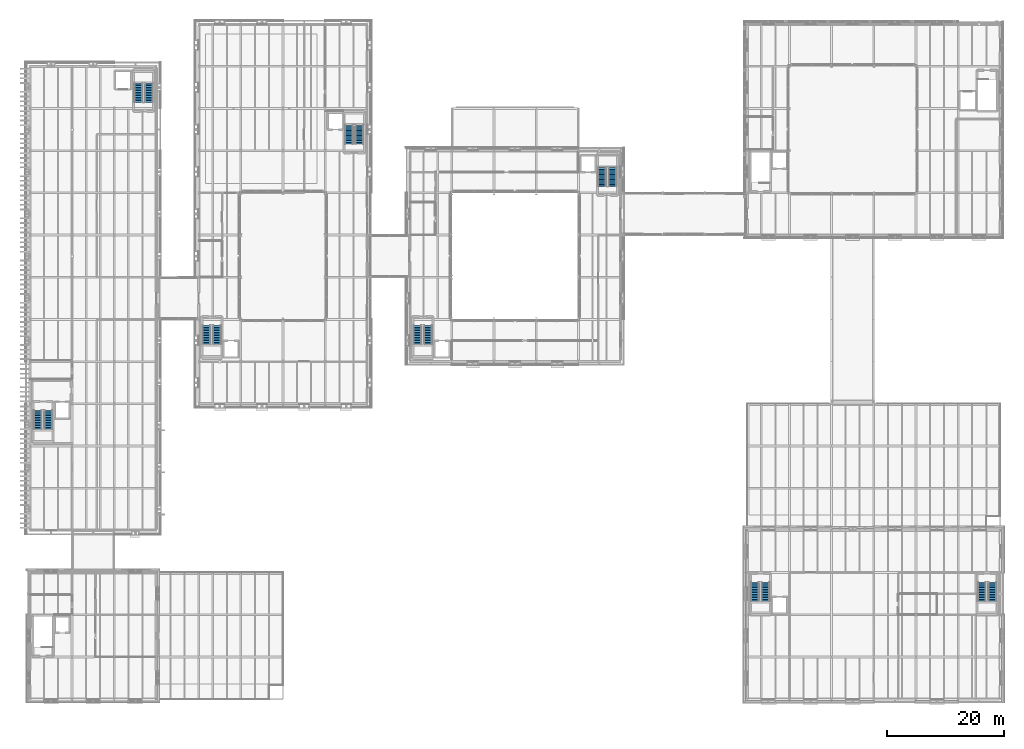
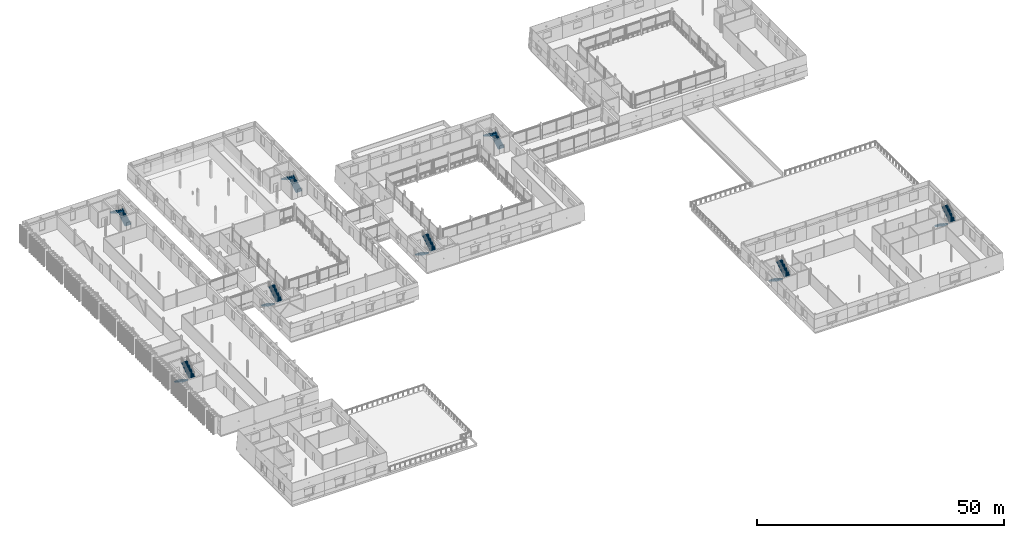
# One storey, part 78 of 115: 16 stair flights, 8 elements without a shape of their own.
"""IFC4 building model written with IfcOpenShell, lengths in metres."""

from ifc_helpers import new_model, si_unit, direction, frame, origin, place, context, subcontext, project, spatial, polyline, outline, extrude, material, type_object, element, aggregate, save


model = new_model("IFC4")

# Units and contexts
model_context = context("Model", 3, precision=1e-05, world=origin(), true_north=direction((0.0, 1.0)))
body_context = subcontext(model_context, "Body", "Model", "MODEL_VIEW")
ifc_project = project(units=[si_unit("LENGTHUNIT", "METRE"), si_unit("AREAUNIT", "SQUARE_METRE"), si_unit("VOLUMEUNIT", "CUBIC_METRE"), si_unit("PLANEANGLEUNIT", "RADIAN"), si_unit("MASSUNIT", "GRAM", prefix="KILO")], contexts=[model_context])

# Site, building, storey
site_placement = place(None, origin())
site = spatial("IfcSite", under=ifc_project, at=site_placement, CompositionType="ELEMENT")
building_placement = place(site_placement, origin())
building = spatial("IfcBuilding", under=site, at=building_placement, Name="Narikvali Park Central Library", CompositionType="ELEMENT")
storey_placement = place(building_placement, frame((0.0, 0.0, 10.199951171875)))
storey = spatial("IfcBuildingStorey", under=building, at=storey_placement, Name="L02", CompositionType="ELEMENT", Elevation=10.199951171875)

# Stair, stair flights
ifc_material_1 = material(Name="Concrete C35/45", Category="concrete")
stair_type = type_object("IfcStairType", Name="Core Enclosed Two-Flight Exit Stair", PredefinedType="HALF_TURN_STAIR", material=ifc_material_1)
stair_1_placement = place(storey_placement, origin())
stair_1 = element("IfcStair", 1, at=stair_1_placement, inside=storey, type_object=stair_type, Name="L02 Exit Stair ST-01", PredefinedType="HALF_TURN_STAIR")
ifc_material_2 = material(Name="Precast concrete C40/50", Category="concrete")
stair_flight_type = type_object("IfcStairFlightType", Name="Precast Concrete Stair Flight 1420", PredefinedType="STRAIGHT", material=ifc_material_2)
stair_flight_1_placement = place(storey_placement, frame((66.159912109375, 63.75, 0.0), z_axis=(0.0, 0.0, 1.0), x_axis=(0.0, -1.0, 0.0)))
stair_flight_1 = element("IfcStairFlight", 2, at=stair_flight_1_placement, type_object=stair_flight_type, Name="ST-01 flight 1", NumberOfRisers=12, NumberOfTreads=11, PredefinedType="STRAIGHT", RiserHeight=0.175, TreadLength=0.285, context=body_context, shape_type="SweptSolid", body=[
    extrude(outline(polyline([(-0.0400390625, -0.02490234375), (-0.0400390625, 0.0), (0.0, 0.0), (0.0, 0.175048828125), (0.284912109375, 0.175048828125), (0.284912109375, 0.35009765625), (0.570068359375, 0.35009765625), (0.570068359375, 0.52490234375), (0.85498046875, 0.52490234375), (0.85498046875, 0.699951171875), (1.139892578125, 0.699951171875), (1.139892578125, 0.875), (1.425048828125, 0.875), (1.425048828125, 1.050048828125), (1.7099609375, 1.050048828125), (1.7099609375, 1.22509765625), (1.9951171875, 1.22509765625), (1.9951171875, 1.39990234375), (2.280029296875, 1.39990234375), (2.280029296875, 1.574951171875), (2.56494140625, 1.574951171875), (2.56494140625, 1.75), (2.85009765625, 1.75), (2.85009765625, 1.925048828125), (3.135009765625, 1.925048828125), (3.135009765625, 2.10009765625), (3.179931640625, 2.10009765625), (3.179931640625, 1.7138671875), (3.135009765625, 1.7138671875), (0.34375, -0.02490234375), (-0.0400390625, -0.02490234375)])), frame((0.0, 0.7099609375, 0.0), z_axis=(0.0, -1.0, 0.0), x_axis=(1.0, 0.0, 0.0)), (0.0, 0.0, 1.0), 1.419921875),
])
stair_flight_2_placement = place(storey_placement, frame((67.93994140625, 60.614990234375, 2.10009765625), z_axis=(0.0, 0.0, 1.0), x_axis=(0.0, 1.0, 0.0)))
stair_flight_2 = element("IfcStairFlight", 3, at=stair_flight_2_placement, type_object=stair_flight_type, Name="ST-01 flight 2", NumberOfRisers=12, NumberOfTreads=11, PredefinedType="STRAIGHT", RiserHeight=0.175, TreadLength=0.285, context=body_context, shape_type="SweptSolid", body=[
    extrude(outline(polyline([(-0.0400390625, -0.02490234375), (-0.0400390625, 0.0), (0.0, 0.0), (0.0, 0.175048828125), (0.284912109375, 0.175048828125), (0.284912109375, 0.35009765625), (0.570068359375, 0.35009765625), (0.570068359375, 0.52490234375), (0.85498046875, 0.52490234375), (0.85498046875, 0.699951171875), (1.139892578125, 0.699951171875), (1.139892578125, 0.875), (1.425048828125, 0.875), (1.425048828125, 1.050048828125), (1.7099609375, 1.050048828125), (1.7099609375, 1.22509765625), (1.9951171875, 1.22509765625), (1.9951171875, 1.39990234375), (2.280029296875, 1.39990234375), (2.280029296875, 1.574951171875), (2.56494140625, 1.574951171875), (2.56494140625, 1.75), (2.85009765625, 1.75), (2.85009765625, 1.925048828125), (3.135009765625, 1.925048828125), (3.135009765625, 2.10009765625), (3.179931640625, 2.10009765625), (3.179931640625, 1.7138671875), (3.135009765625, 1.7138671875), (0.34375, -0.02490234375), (-0.0400390625, -0.02490234375)])), frame((0.0, 0.7099609375, 0.0), z_axis=(0.0, -1.0, 0.0), x_axis=(1.0, 0.0, 0.0)), (0.0, 0.0, 1.0), 1.419921875),
])
aggregate(stair_1, [stair_flight_1, stair_flight_2])

stair_2_placement = place(storey_placement, origin())
stair_2 = element("IfcStair", 4, at=stair_2_placement, inside=storey, type_object=stair_type, Name="L02 Exit Stair ST-02", PredefinedType="HALF_TURN_STAIR")
stair_flight_3_placement = place(storey_placement, frame((99.43994140625, 87.550048828125, 0.0), z_axis=(0.0, 0.0, 1.0), x_axis=(0.0, 1.0, 0.0)))
stair_flight_3 = element("IfcStairFlight", 5, at=stair_flight_3_placement, type_object=stair_flight_type, Name="ST-02 flight 1", NumberOfRisers=12, NumberOfTreads=11, PredefinedType="STRAIGHT", RiserHeight=0.175, TreadLength=0.285, context=body_context, shape_type="SweptSolid", body=[
    extrude(outline(polyline([(-0.0400390625, -0.02490234375), (-0.0400390625, 0.0), (0.0, 0.0), (0.0, 0.175048828125), (0.284912109375, 0.175048828125), (0.284912109375, 0.35009765625), (0.570068359375, 0.35009765625), (0.570068359375, 0.52490234375), (0.85498046875, 0.52490234375), (0.85498046875, 0.699951171875), (1.139892578125, 0.699951171875), (1.139892578125, 0.875), (1.425048828125, 0.875), (1.425048828125, 1.050048828125), (1.7099609375, 1.050048828125), (1.7099609375, 1.22509765625), (1.9951171875, 1.22509765625), (1.9951171875, 1.39990234375), (2.280029296875, 1.39990234375), (2.280029296875, 1.574951171875), (2.56494140625, 1.574951171875), (2.56494140625, 1.75), (2.85009765625, 1.75), (2.85009765625, 1.925048828125), (3.135009765625, 1.925048828125), (3.135009765625, 2.10009765625), (3.179931640625, 2.10009765625), (3.179931640625, 1.7138671875), (3.135009765625, 1.7138671875), (0.34375, -0.02490234375), (-0.0400390625, -0.02490234375)])), frame((0.0, 0.7099609375, 0.0), z_axis=(0.0, -1.0, 0.0), x_axis=(1.0, 0.0, 0.0)), (0.0, 0.0, 1.0), 1.419921875),
])
stair_flight_4_placement = place(storey_placement, frame((97.659912109375, 90.68505859375, 2.10009765625), z_axis=(0.0, 0.0, 1.0), x_axis=(0.0, -1.0, 0.0)))
stair_flight_4 = element("IfcStairFlight", 6, at=stair_flight_4_placement, type_object=stair_flight_type, Name="ST-02 flight 2", NumberOfRisers=12, NumberOfTreads=11, PredefinedType="STRAIGHT", RiserHeight=0.175, TreadLength=0.285, context=body_context, shape_type="SweptSolid", body=[
    extrude(outline(polyline([(-0.0400390625, -0.02490234375), (-0.0400390625, 0.0), (0.0, 0.0), (0.0, 0.175048828125), (0.284912109375, 0.175048828125), (0.284912109375, 0.35009765625), (0.570068359375, 0.35009765625), (0.570068359375, 0.52490234375), (0.85498046875, 0.52490234375), (0.85498046875, 0.699951171875), (1.139892578125, 0.699951171875), (1.139892578125, 0.875), (1.425048828125, 0.875), (1.425048828125, 1.050048828125), (1.7099609375, 1.050048828125), (1.7099609375, 1.22509765625), (1.9951171875, 1.22509765625), (1.9951171875, 1.39990234375), (2.280029296875, 1.39990234375), (2.280029296875, 1.574951171875), (2.56494140625, 1.574951171875), (2.56494140625, 1.75), (2.85009765625, 1.75), (2.85009765625, 1.925048828125), (3.135009765625, 1.925048828125), (3.135009765625, 2.10009765625), (3.179931640625, 2.10009765625), (3.179931640625, 1.7138671875), (3.135009765625, 1.7138671875), (0.34375, -0.02490234375), (-0.0400390625, -0.02490234375)])), frame((0.0, 0.7099609375, 0.0), z_axis=(0.0, -1.0, 0.0), x_axis=(1.0, 0.0, 0.0)), (0.0, 0.0, 1.0), 1.419921875),
])
aggregate(stair_2, [stair_flight_3, stair_flight_4])

stair_3_placement = place(storey_placement, origin())
stair_3 = element("IfcStair", 7, at=stair_3_placement, inside=storey, type_object=stair_type, Name="L02 Exit Stair ST-07", PredefinedType="HALF_TURN_STAIR")
stair_flight_5_placement = place(storey_placement, frame((30.159912109375, 63.75, 0.0), z_axis=(0.0, 0.0, 1.0), x_axis=(0.0, -1.0, 0.0)))
stair_flight_5 = element("IfcStairFlight", 8, at=stair_flight_5_placement, type_object=stair_flight_type, Name="ST-07 flight 1", NumberOfRisers=12, NumberOfTreads=11, PredefinedType="STRAIGHT", RiserHeight=0.175, TreadLength=0.285, context=body_context, shape_type="SweptSolid", body=[
    extrude(outline(polyline([(-0.0400390625, -0.02490234375), (-0.0400390625, 0.0), (0.0, 0.0), (0.0, 0.175048828125), (0.284912109375, 0.175048828125), (0.284912109375, 0.35009765625), (0.570068359375, 0.35009765625), (0.570068359375, 0.52490234375), (0.85498046875, 0.52490234375), (0.85498046875, 0.699951171875), (1.139892578125, 0.699951171875), (1.139892578125, 0.875), (1.425048828125, 0.875), (1.425048828125, 1.050048828125), (1.7099609375, 1.050048828125), (1.7099609375, 1.22509765625), (1.9951171875, 1.22509765625), (1.9951171875, 1.39990234375), (2.280029296875, 1.39990234375), (2.280029296875, 1.574951171875), (2.56494140625, 1.574951171875), (2.56494140625, 1.75), (2.85009765625, 1.75), (2.85009765625, 1.925048828125), (3.135009765625, 1.925048828125), (3.135009765625, 2.10009765625), (3.179931640625, 2.10009765625), (3.179931640625, 1.7138671875), (3.135009765625, 1.7138671875), (0.34375, -0.02490234375), (-0.0400390625, -0.02490234375)])), frame((0.0, 0.7099609375, 0.0), z_axis=(0.0, -1.0, 0.0), x_axis=(1.0, 0.0, 0.0)), (0.0, 0.0, 1.0), 1.419921875),
])
stair_flight_6_placement = place(storey_placement, frame((31.93994140625, 60.614990234375, 2.10009765625), z_axis=(0.0, 0.0, 1.0), x_axis=(0.0, 1.0, 0.0)))
stair_flight_6 = element("IfcStairFlight", 9, at=stair_flight_6_placement, type_object=stair_flight_type, Name="ST-07 flight 2", NumberOfRisers=12, NumberOfTreads=11, PredefinedType="STRAIGHT", RiserHeight=0.175, TreadLength=0.285, context=body_context, shape_type="SweptSolid", body=[
    extrude(outline(polyline([(-0.0400390625, -0.02490234375), (-0.0400390625, 0.0), (0.0, 0.0), (0.0, 0.175048828125), (0.284912109375, 0.175048828125), (0.284912109375, 0.35009765625), (0.570068359375, 0.35009765625), (0.570068359375, 0.52490234375), (0.85498046875, 0.52490234375), (0.85498046875, 0.699951171875), (1.139892578125, 0.699951171875), (1.139892578125, 0.875), (1.425048828125, 0.875), (1.425048828125, 1.050048828125), (1.7099609375, 1.050048828125), (1.7099609375, 1.22509765625), (1.9951171875, 1.22509765625), (1.9951171875, 1.39990234375), (2.280029296875, 1.39990234375), (2.280029296875, 1.574951171875), (2.56494140625, 1.574951171875), (2.56494140625, 1.75), (2.85009765625, 1.75), (2.85009765625, 1.925048828125), (3.135009765625, 1.925048828125), (3.135009765625, 2.10009765625), (3.179931640625, 2.10009765625), (3.179931640625, 1.7138671875), (3.135009765625, 1.7138671875), (0.34375, -0.02490234375), (-0.0400390625, -0.02490234375)])), frame((0.0, 0.7099609375, 0.0), z_axis=(0.0, -1.0, 0.0), x_axis=(1.0, 0.0, 0.0)), (0.0, 0.0, 1.0), 1.419921875),
])
aggregate(stair_3, [stair_flight_5, stair_flight_6])

stair_4_placement = place(storey_placement, origin())
stair_4 = element("IfcStair", 10, at=stair_4_placement, inside=storey, type_object=stair_type, Name="L02 Exit Stair ST-08", PredefinedType="HALF_TURN_STAIR")
stair_flight_7_placement = place(storey_placement, frame((56.239990234375, 94.75, 0.0), z_axis=(0.0, 0.0, 1.0), x_axis=(0.0, 1.0, 0.0)))
stair_flight_7 = element("IfcStairFlight", 11, at=stair_flight_7_placement, type_object=stair_flight_type, Name="ST-08 flight 1", NumberOfRisers=12, NumberOfTreads=11, PredefinedType="STRAIGHT", RiserHeight=0.175, TreadLength=0.285, context=body_context, shape_type="SweptSolid", body=[
    extrude(outline(polyline([(-0.0400390625, -0.02490234375), (-0.0400390625, 0.0), (0.0, 0.0), (0.0, 0.175048828125), (0.284912109375, 0.175048828125), (0.284912109375, 0.35009765625), (0.570068359375, 0.35009765625), (0.570068359375, 0.52490234375), (0.85498046875, 0.52490234375), (0.85498046875, 0.699951171875), (1.139892578125, 0.699951171875), (1.139892578125, 0.875), (1.425048828125, 0.875), (1.425048828125, 1.050048828125), (1.7099609375, 1.050048828125), (1.7099609375, 1.22509765625), (1.9951171875, 1.22509765625), (1.9951171875, 1.39990234375), (2.280029296875, 1.39990234375), (2.280029296875, 1.574951171875), (2.56494140625, 1.574951171875), (2.56494140625, 1.75), (2.85009765625, 1.75), (2.85009765625, 1.925048828125), (3.135009765625, 1.925048828125), (3.135009765625, 2.10009765625), (3.179931640625, 2.10009765625), (3.179931640625, 1.7138671875), (3.135009765625, 1.7138671875), (0.34375, -0.02490234375), (-0.0400390625, -0.02490234375)])), frame((0.0, 0.7099609375, 0.0), z_axis=(0.0, -1.0, 0.0), x_axis=(1.0, 0.0, 0.0)), (0.0, 0.0, 1.0), 1.419921875),
])
stair_flight_8_placement = place(storey_placement, frame((54.4599609375, 97.885009765625, 2.10009765625), z_axis=(0.0, 0.0, 1.0), x_axis=(0.0, -1.0, 0.0)))
stair_flight_8 = element("IfcStairFlight", 12, at=stair_flight_8_placement, type_object=stair_flight_type, Name="ST-08 flight 2", NumberOfRisers=12, NumberOfTreads=11, PredefinedType="STRAIGHT", RiserHeight=0.175, TreadLength=0.285, context=body_context, shape_type="SweptSolid", body=[
    extrude(outline(polyline([(-0.0400390625, -0.02490234375), (-0.0400390625, 0.0), (0.0, 0.0), (0.0, 0.175048828125), (0.284912109375, 0.175048828125), (0.284912109375, 0.35009765625), (0.570068359375, 0.35009765625), (0.570068359375, 0.52490234375), (0.85498046875, 0.52490234375), (0.85498046875, 0.699951171875), (1.139892578125, 0.699951171875), (1.139892578125, 0.875), (1.425048828125, 0.875), (1.425048828125, 1.050048828125), (1.7099609375, 1.050048828125), (1.7099609375, 1.22509765625), (1.9951171875, 1.22509765625), (1.9951171875, 1.39990234375), (2.280029296875, 1.39990234375), (2.280029296875, 1.574951171875), (2.56494140625, 1.574951171875), (2.56494140625, 1.75), (2.85009765625, 1.75), (2.85009765625, 1.925048828125), (3.135009765625, 1.925048828125), (3.135009765625, 2.10009765625), (3.179931640625, 2.10009765625), (3.179931640625, 1.7138671875), (3.135009765625, 1.7138671875), (0.34375, -0.02490234375), (-0.0400390625, -0.02490234375)])), frame((0.0, 0.7099609375, 0.0), z_axis=(0.0, -1.0, 0.0), x_axis=(1.0, 0.0, 0.0)), (0.0, 0.0, 1.0), 1.419921875),
])
aggregate(stair_4, [stair_flight_7, stair_flight_8])

stair_5_placement = place(storey_placement, origin())
stair_5 = element("IfcStair", 13, at=stair_5_placement, inside=storey, type_object=stair_type, Name="L02 Exit Stair ST-09", PredefinedType="HALF_TURN_STAIR")
stair_flight_9_placement = place(storey_placement, frame((1.360107421875, 49.25, 0.0), z_axis=(0.0, 0.0, 1.0), x_axis=(0.0, -1.0, 0.0)))
stair_flight_9 = element("IfcStairFlight", 14, at=stair_flight_9_placement, type_object=stair_flight_type, Name="ST-09 flight 1", NumberOfRisers=12, NumberOfTreads=11, PredefinedType="STRAIGHT", RiserHeight=0.175, TreadLength=0.285, context=body_context, shape_type="SweptSolid", body=[
    extrude(outline(polyline([(-0.0400390625, -0.02490234375), (-0.0400390625, 0.0), (0.0, 0.0), (0.0, 0.175048828125), (0.284912109375, 0.175048828125), (0.284912109375, 0.35009765625), (0.570068359375, 0.35009765625), (0.570068359375, 0.52490234375), (0.85498046875, 0.52490234375), (0.85498046875, 0.699951171875), (1.139892578125, 0.699951171875), (1.139892578125, 0.875), (1.425048828125, 0.875), (1.425048828125, 1.050048828125), (1.7099609375, 1.050048828125), (1.7099609375, 1.22509765625), (1.9951171875, 1.22509765625), (1.9951171875, 1.39990234375), (2.280029296875, 1.39990234375), (2.280029296875, 1.574951171875), (2.56494140625, 1.574951171875), (2.56494140625, 1.75), (2.85009765625, 1.75), (2.85009765625, 1.925048828125), (3.135009765625, 1.925048828125), (3.135009765625, 2.10009765625), (3.179931640625, 2.10009765625), (3.179931640625, 1.7138671875), (3.135009765625, 1.7138671875), (0.34375, -0.02490234375), (-0.0400390625, -0.02490234375)])), frame((0.0, 0.7099609375, 0.0), z_axis=(0.0, -1.0, 0.0), x_axis=(1.0, 0.0, 0.0)), (0.0, 0.0, 1.0), 1.419921875),
])
stair_flight_10_placement = place(storey_placement, frame((3.139892578125, 46.114990234375, 2.10009765625), z_axis=(0.0, 0.0, 1.0), x_axis=(0.0, 1.0, 0.0)))
stair_flight_10 = element("IfcStairFlight", 15, at=stair_flight_10_placement, type_object=stair_flight_type, Name="ST-09 flight 2", NumberOfRisers=12, NumberOfTreads=11, PredefinedType="STRAIGHT", RiserHeight=0.175, TreadLength=0.285, context=body_context, shape_type="SweptSolid", body=[
    extrude(outline(polyline([(-0.0400390625, -0.02490234375), (-0.0400390625, 0.0), (0.0, 0.0), (0.0, 0.175048828125), (0.284912109375, 0.175048828125), (0.284912109375, 0.35009765625), (0.570068359375, 0.35009765625), (0.570068359375, 0.52490234375), (0.85498046875, 0.52490234375), (0.85498046875, 0.699951171875), (1.139892578125, 0.699951171875), (1.139892578125, 0.875), (1.425048828125, 0.875), (1.425048828125, 1.050048828125), (1.7099609375, 1.050048828125), (1.7099609375, 1.22509765625), (1.9951171875, 1.22509765625), (1.9951171875, 1.39990234375), (2.280029296875, 1.39990234375), (2.280029296875, 1.574951171875), (2.56494140625, 1.574951171875), (2.56494140625, 1.75), (2.85009765625, 1.75), (2.85009765625, 1.925048828125), (3.135009765625, 1.925048828125), (3.135009765625, 2.10009765625), (3.179931640625, 2.10009765625), (3.179931640625, 1.7138671875), (3.135009765625, 1.7138671875), (0.34375, -0.02490234375), (-0.0400390625, -0.02490234375)])), frame((0.0, 0.7099609375, 0.0), z_axis=(0.0, -1.0, 0.0), x_axis=(1.0, 0.0, 0.0)), (0.0, 0.0, 1.0), 1.419921875),
])
aggregate(stair_5, [stair_flight_9, stair_flight_10])

stair_6_placement = place(storey_placement, origin())
stair_6 = element("IfcStair", 16, at=stair_6_placement, inside=storey, type_object=stair_type, Name="L02 Exit Stair ST-10", PredefinedType="HALF_TURN_STAIR")
stair_flight_11_placement = place(storey_placement, frame((20.2900390625, 101.85009765625, 0.0), z_axis=(0.0, 0.0, 1.0), x_axis=(0.0, 1.0, 0.0)))
stair_flight_11 = element("IfcStairFlight", 17, at=stair_flight_11_placement, type_object=stair_flight_type, Name="ST-10 flight 1", NumberOfRisers=12, NumberOfTreads=11, PredefinedType="STRAIGHT", RiserHeight=0.175, TreadLength=0.285, context=body_context, shape_type="SweptSolid", body=[
    extrude(outline(polyline([(-0.0400390625, -0.02490234375), (-0.0400390625, 0.0), (0.0, 0.0), (0.0, 0.175048828125), (0.284912109375, 0.175048828125), (0.284912109375, 0.35009765625), (0.570068359375, 0.35009765625), (0.570068359375, 0.52490234375), (0.85498046875, 0.52490234375), (0.85498046875, 0.699951171875), (1.139892578125, 0.699951171875), (1.139892578125, 0.875), (1.425048828125, 0.875), (1.425048828125, 1.050048828125), (1.7099609375, 1.050048828125), (1.7099609375, 1.22509765625), (1.9951171875, 1.22509765625), (1.9951171875, 1.39990234375), (2.280029296875, 1.39990234375), (2.280029296875, 1.574951171875), (2.56494140625, 1.574951171875), (2.56494140625, 1.75), (2.85009765625, 1.75), (2.85009765625, 1.925048828125), (3.135009765625, 1.925048828125), (3.135009765625, 2.10009765625), (3.179931640625, 2.10009765625), (3.179931640625, 1.7138671875), (3.135009765625, 1.7138671875), (0.34375, -0.02490234375), (-0.0400390625, -0.02490234375)])), frame((0.0, 0.7099609375, 0.0), z_axis=(0.0, -1.0, 0.0), x_axis=(1.0, 0.0, 0.0)), (0.0, 0.0, 1.0), 1.419921875),
])
stair_flight_12_placement = place(storey_placement, frame((18.510009765625, 104.985107421875, 2.10009765625), z_axis=(0.0, 0.0, 1.0), x_axis=(0.0, -1.0, 0.0)))
stair_flight_12 = element("IfcStairFlight", 18, at=stair_flight_12_placement, type_object=stair_flight_type, Name="ST-10 flight 2", NumberOfRisers=12, NumberOfTreads=11, PredefinedType="STRAIGHT", RiserHeight=0.175, TreadLength=0.285, context=body_context, shape_type="SweptSolid", body=[
    extrude(outline(polyline([(-0.0400390625, -0.02490234375), (-0.0400390625, 0.0), (0.0, 0.0), (0.0, 0.175048828125), (0.284912109375, 0.175048828125), (0.284912109375, 0.35009765625), (0.570068359375, 0.35009765625), (0.570068359375, 0.52490234375), (0.85498046875, 0.52490234375), (0.85498046875, 0.699951171875), (1.139892578125, 0.699951171875), (1.139892578125, 0.875), (1.425048828125, 0.875), (1.425048828125, 1.050048828125), (1.7099609375, 1.050048828125), (1.7099609375, 1.22509765625), (1.9951171875, 1.22509765625), (1.9951171875, 1.39990234375), (2.280029296875, 1.39990234375), (2.280029296875, 1.574951171875), (2.56494140625, 1.574951171875), (2.56494140625, 1.75), (2.85009765625, 1.75), (2.85009765625, 1.925048828125), (3.135009765625, 1.925048828125), (3.135009765625, 2.10009765625), (3.179931640625, 2.10009765625), (3.179931640625, 1.7138671875), (3.135009765625, 1.7138671875), (0.34375, -0.02490234375), (-0.0400390625, -0.02490234375)])), frame((0.0, 0.7099609375, 0.0), z_axis=(0.0, -1.0, 0.0), x_axis=(1.0, 0.0, 0.0)), (0.0, 0.0, 1.0), 1.419921875),
])
aggregate(stair_6, [stair_flight_11, stair_flight_12])

stair_7_placement = place(storey_placement, origin())
stair_7 = element("IfcStair", 19, at=stair_7_placement, inside=storey, type_object=stair_type, Name="L02 Exit Stair ST-11", PredefinedType="HALF_TURN_STAIR")
stair_flight_13_placement = place(storey_placement, frame((123.760009765625, 19.89990234375, 0.0), z_axis=(0.0, 0.0, 1.0), x_axis=(0.0, -1.0, 0.0)))
stair_flight_13 = element("IfcStairFlight", 20, at=stair_flight_13_placement, type_object=stair_flight_type, Name="ST-11 flight 1", NumberOfRisers=12, NumberOfTreads=11, PredefinedType="STRAIGHT", RiserHeight=0.175, TreadLength=0.285, context=body_context, shape_type="SweptSolid", body=[
    extrude(outline(polyline([(-0.0400390625, -0.02490234375), (-0.0400390625, 0.0), (0.0, 0.0), (0.0, 0.175048828125), (0.284912109375, 0.175048828125), (0.284912109375, 0.35009765625), (0.570068359375, 0.35009765625), (0.570068359375, 0.52490234375), (0.85498046875, 0.52490234375), (0.85498046875, 0.699951171875), (1.139892578125, 0.699951171875), (1.139892578125, 0.875), (1.425048828125, 0.875), (1.425048828125, 1.050048828125), (1.7099609375, 1.050048828125), (1.7099609375, 1.22509765625), (1.9951171875, 1.22509765625), (1.9951171875, 1.39990234375), (2.280029296875, 1.39990234375), (2.280029296875, 1.574951171875), (2.56494140625, 1.574951171875), (2.56494140625, 1.75), (2.85009765625, 1.75), (2.85009765625, 1.925048828125), (3.135009765625, 1.925048828125), (3.135009765625, 2.10009765625), (3.179931640625, 2.10009765625), (3.179931640625, 1.7138671875), (3.135009765625, 1.7138671875), (0.34375, -0.02490234375), (-0.0400390625, -0.02490234375)])), frame((0.0, 0.7099609375, 0.0), z_axis=(0.0, -1.0, 0.0), x_axis=(1.0, 0.0, 0.0)), (0.0, 0.0, 1.0), 1.419921875),
])
stair_flight_14_placement = place(storey_placement, frame((125.5400390625, 16.764892578125, 2.10009765625), z_axis=(0.0, 0.0, 1.0), x_axis=(0.0, 1.0, 0.0)))
stair_flight_14 = element("IfcStairFlight", 21, at=stair_flight_14_placement, type_object=stair_flight_type, Name="ST-11 flight 2", NumberOfRisers=12, NumberOfTreads=11, PredefinedType="STRAIGHT", RiserHeight=0.175, TreadLength=0.285, context=body_context, shape_type="SweptSolid", body=[
    extrude(outline(polyline([(-0.0400390625, -0.02490234375), (-0.0400390625, 0.0), (0.0, 0.0), (0.0, 0.175048828125), (0.284912109375, 0.175048828125), (0.284912109375, 0.35009765625), (0.570068359375, 0.35009765625), (0.570068359375, 0.52490234375), (0.85498046875, 0.52490234375), (0.85498046875, 0.699951171875), (1.139892578125, 0.699951171875), (1.139892578125, 0.875), (1.425048828125, 0.875), (1.425048828125, 1.050048828125), (1.7099609375, 1.050048828125), (1.7099609375, 1.22509765625), (1.9951171875, 1.22509765625), (1.9951171875, 1.39990234375), (2.280029296875, 1.39990234375), (2.280029296875, 1.574951171875), (2.56494140625, 1.574951171875), (2.56494140625, 1.75), (2.85009765625, 1.75), (2.85009765625, 1.925048828125), (3.135009765625, 1.925048828125), (3.135009765625, 2.10009765625), (3.179931640625, 2.10009765625), (3.179931640625, 1.7138671875), (3.135009765625, 1.7138671875), (0.34375, -0.02490234375), (-0.0400390625, -0.02490234375)])), frame((0.0, 0.7099609375, 0.0), z_axis=(0.0, -1.0, 0.0), x_axis=(1.0, 0.0, 0.0)), (0.0, 0.0, 1.0), 1.419921875),
])
aggregate(stair_7, [stair_flight_13, stair_flight_14])

stair_8_placement = place(storey_placement, origin())
stair_8 = element("IfcStair", 22, at=stair_8_placement, inside=storey, type_object=stair_type, Name="L02 Exit Stair ST-12", PredefinedType="HALF_TURN_STAIR")
stair_flight_15_placement = place(storey_placement, frame((162.4599609375, 19.89990234375, 0.0), z_axis=(0.0, 0.0, 1.0), x_axis=(0.0, -1.0, 0.0)))
stair_flight_15 = element("IfcStairFlight", 23, at=stair_flight_15_placement, type_object=stair_flight_type, Name="ST-12 flight 1", NumberOfRisers=12, NumberOfTreads=11, PredefinedType="STRAIGHT", RiserHeight=0.175, TreadLength=0.285, context=body_context, shape_type="SweptSolid", body=[
    extrude(outline(polyline([(-0.0400390625, -0.02490234375), (-0.0400390625, 0.0), (0.0, 0.0), (0.0, 0.175048828125), (0.284912109375, 0.175048828125), (0.284912109375, 0.35009765625), (0.570068359375, 0.35009765625), (0.570068359375, 0.52490234375), (0.85498046875, 0.52490234375), (0.85498046875, 0.699951171875), (1.139892578125, 0.699951171875), (1.139892578125, 0.875), (1.425048828125, 0.875), (1.425048828125, 1.050048828125), (1.7099609375, 1.050048828125), (1.7099609375, 1.22509765625), (1.9951171875, 1.22509765625), (1.9951171875, 1.39990234375), (2.280029296875, 1.39990234375), (2.280029296875, 1.574951171875), (2.56494140625, 1.574951171875), (2.56494140625, 1.75), (2.85009765625, 1.75), (2.85009765625, 1.925048828125), (3.135009765625, 1.925048828125), (3.135009765625, 2.10009765625), (3.179931640625, 2.10009765625), (3.179931640625, 1.7138671875), (3.135009765625, 1.7138671875), (0.34375, -0.02490234375), (-0.0400390625, -0.02490234375)])), frame((0.0, 0.7099609375, 0.0), z_axis=(0.0, -1.0, 0.0), x_axis=(1.0, 0.0, 0.0)), (0.0, 0.0, 1.0), 1.419921875),
])
stair_flight_16_placement = place(storey_placement, frame((164.239990234375, 16.764892578125, 2.10009765625), z_axis=(0.0, 0.0, 1.0), x_axis=(0.0, 1.0, 0.0)))
stair_flight_16 = element("IfcStairFlight", 24, at=stair_flight_16_placement, type_object=stair_flight_type, Name="ST-12 flight 2", NumberOfRisers=12, NumberOfTreads=11, PredefinedType="STRAIGHT", RiserHeight=0.175, TreadLength=0.285, context=body_context, shape_type="SweptSolid", body=[
    extrude(outline(polyline([(-0.0400390625, -0.02490234375), (-0.0400390625, 0.0), (0.0, 0.0), (0.0, 0.175048828125), (0.284912109375, 0.175048828125), (0.284912109375, 0.35009765625), (0.570068359375, 0.35009765625), (0.570068359375, 0.52490234375), (0.85498046875, 0.52490234375), (0.85498046875, 0.699951171875), (1.139892578125, 0.699951171875), (1.139892578125, 0.875), (1.425048828125, 0.875), (1.425048828125, 1.050048828125), (1.7099609375, 1.050048828125), (1.7099609375, 1.22509765625), (1.9951171875, 1.22509765625), (1.9951171875, 1.39990234375), (2.280029296875, 1.39990234375), (2.280029296875, 1.574951171875), (2.56494140625, 1.574951171875), (2.56494140625, 1.75), (2.85009765625, 1.75), (2.85009765625, 1.925048828125), (3.135009765625, 1.925048828125), (3.135009765625, 2.10009765625), (3.179931640625, 2.10009765625), (3.179931640625, 1.7138671875), (3.135009765625, 1.7138671875), (0.34375, -0.02490234375), (-0.0400390625, -0.02490234375)])), frame((0.0, 0.7099609375, 0.0), z_axis=(0.0, -1.0, 0.0), x_axis=(1.0, 0.0, 0.0)), (0.0, 0.0, 1.0), 1.419921875),
])
aggregate(stair_8, [stair_flight_15, stair_flight_16])

save(model, "model.ifc")
